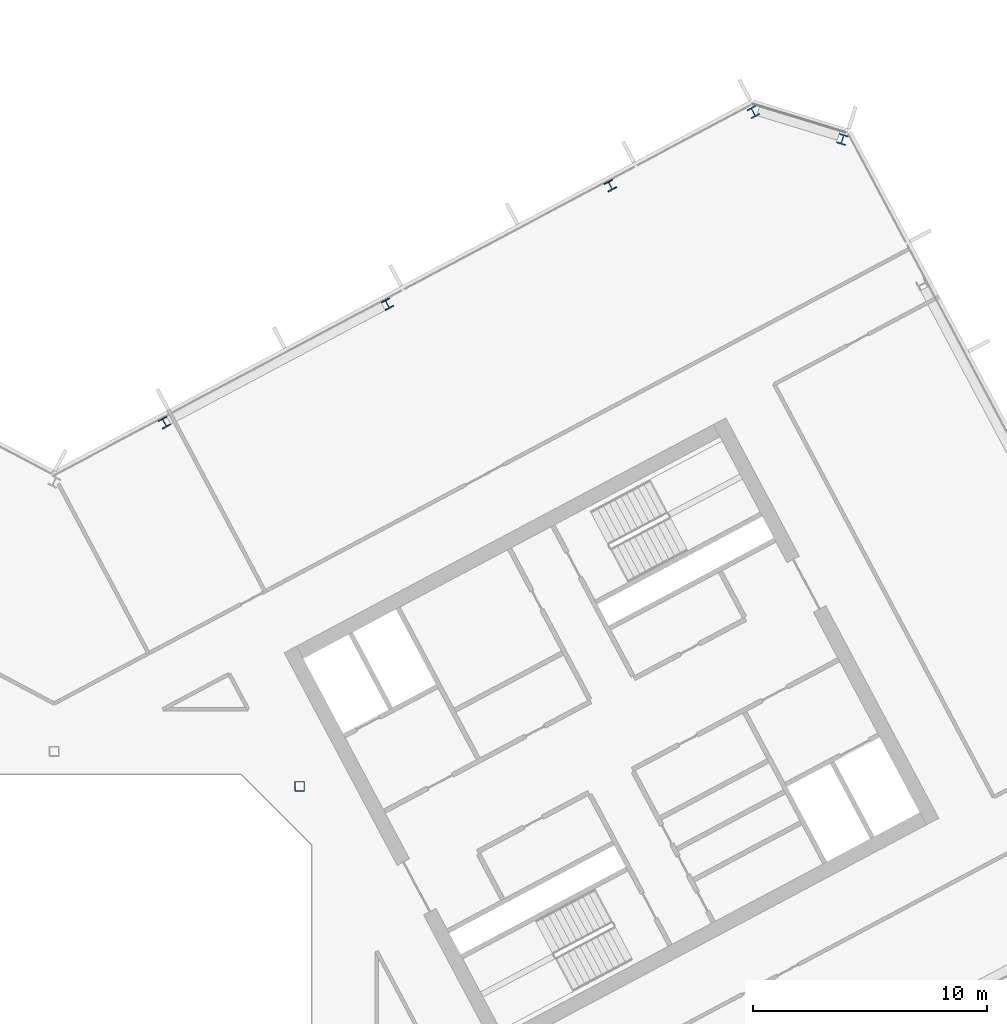
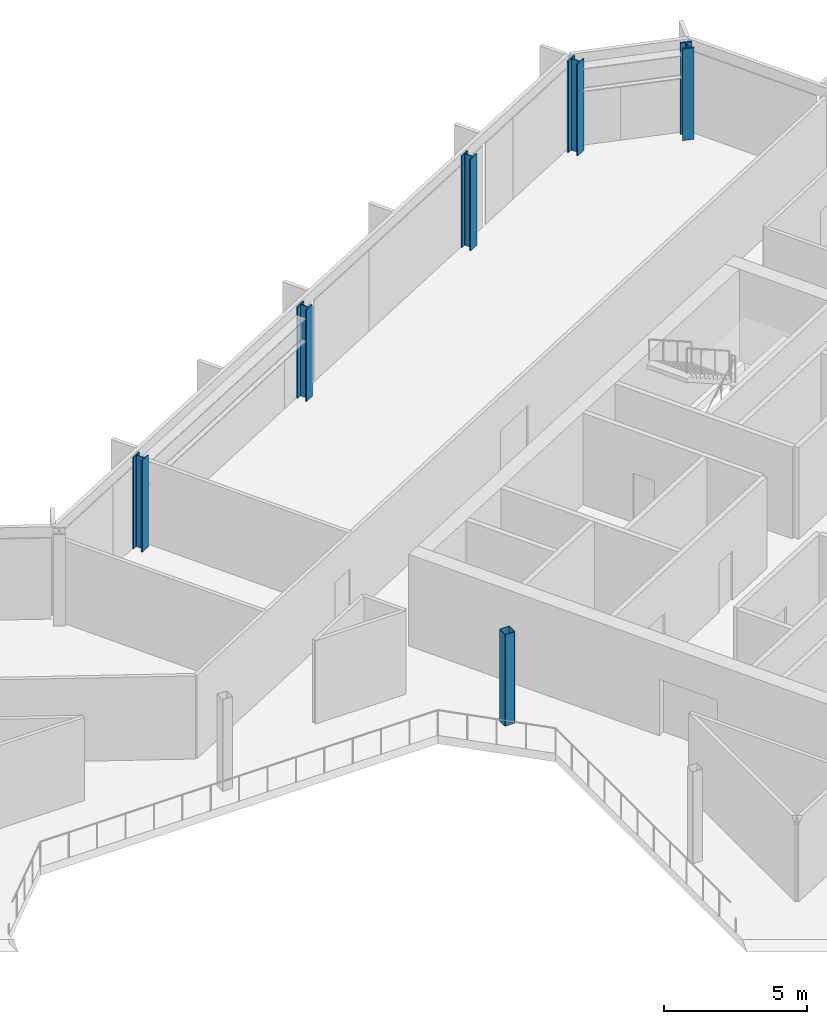
# One storey, part 6 of 26: 6 columns.
"""IFC4 building model written with IfcOpenShell, lengths in metres."""

from ifc_helpers import new_model, si_unit, direction, frame, origin, origin_2d, place, context, subcontext, project, spatial, hollow_rectangle, i_section, extrude, material, material_profile, profile_set, type_object, element, save


model = new_model("IFC4")

# Units and contexts
model_context = context("Model", 3, precision=1e-05, world=origin(), true_north=direction((0.0, 1.0)))
body_context = subcontext(model_context, "Body", "Model", "MODEL_VIEW")
ifc_project = project(units=[si_unit("LENGTHUNIT", "METRE"), si_unit("AREAUNIT", "SQUARE_METRE"), si_unit("VOLUMEUNIT", "CUBIC_METRE"), si_unit("PLANEANGLEUNIT", "RADIAN"), si_unit("MASSUNIT", "GRAM", prefix="KILO")], contexts=[model_context])

# Site, building, storey
site_placement = place(None, origin())
site = spatial("IfcSite", under=ifc_project, at=site_placement, CompositionType="ELEMENT")
building_placement = place(site_placement, origin())
building = spatial("IfcBuilding", under=site, at=building_placement, Name="Cormorant Relay Tower", CompositionType="ELEMENT")
storey_placement = place(building_placement, frame((0.0, 0.0, 205.199951171875)))
storey = spatial("IfcBuildingStorey", under=building, at=storey_placement, Name="L44", CompositionType="ELEMENT", Elevation=205.199951171875)

# Columns
ifc_material_1 = material(Name="Steel ASTM A500 Grade C (Fy 345 MPa)", Category="steel")
ifc_material_profile_1 = material_profile(ifc_material_1, hollow_rectangle(XDim=0.406494140625, YDim=0.406494140625, WallThickness=0.0146484375, InnerFilletRadius=0.00732421875, OuterFilletRadius=0.022216796875, at=origin_2d()), Name="HSS406x406x15")
ifc_profile_set_1 = profile_set([ifc_material_profile_1], Name="Steel ASTM A500 Grade C (Fy 345 MPa)")
column_type_1 = type_object("IfcColumnType", Name="Column HSS406x406x15", PredefinedType="COLUMN", material=ifc_profile_set_1)
column_placement = place(storey_placement, frame((10.5, 10.5, 0.0), z_axis=(0.0, 0.0, 1.0), x_axis=(1.0, 0.0, 0.0)))
element("IfcColumn", 1, at=column_placement, inside=storey, type_object=column_type_1, Name="Column L44-024", PredefinedType="COLUMN", context=body_context, shape_type="SweptSolid", body=[
    extrude(hollow_rectangle(XDim=0.406494140625, YDim=0.406494140625, WallThickness=0.0146484375, InnerFilletRadius=0.00732421875, OuterFilletRadius=0.022216796875, at=origin_2d()), origin(), (0.0, 0.0, 1.0), 3.900146484375),
])
ifc_material_2 = material(Name="Steel ASTM A992 (Fy 345 MPa)", Category="steel")
ifc_material_profile_2 = material_profile(ifc_material_2, i_section(OverallWidth=0.40380859375, OverallDepth=0.406494140625, WebThickness=0.027099609375, FlangeThickness=0.043701171875, FilletRadius=0.01513671875, at=origin_2d()), Name="W360x347")
ifc_profile_set_2 = profile_set([ifc_material_profile_2], Name="Steel ASTM A992 (Fy 345 MPa)")
column_type_2 = type_object("IfcColumnType", Name="Column W360x347", PredefinedType="COLUMN", material=ifc_profile_set_2)
for number, where, z_axis, x_axis, name in (
    (2, (4.719970703125, 26.055908203125, 0.0), (0.0, 0.0, 1.0), (-0.882947592859, -0.469471562786, 0.0), "Column L44-032"),
    (3, (14.256103515625, 31.1259765625, 0.0), (0.0, 0.0, 1.0), (-0.882947592859, -0.469471562786, 0.0), "Column L44-035"),
    (4, (23.7919921875, 36.196044921875, 0.0), (0.0, 0.0, 1.0), (-0.882947592859, -0.469471562786, 0.0), "Column L44-039"),
):
    element("IfcColumn", number, at=place(storey_placement, frame(where, z_axis=z_axis, x_axis=x_axis)), inside=storey, type_object=column_type_2, Name=name, PredefinedType="COLUMN", context=body_context, shape_type="SweptSolid", body=[
        extrude(i_section(OverallWidth=0.40380859375, OverallDepth=0.406494140625, WebThickness=0.027099609375, FlangeThickness=0.043701171875, FilletRadius=0.01513671875, at=origin_2d()), origin(), (0.0, 0.0, 1.0), 3.900146484375),
    ])
ifc_material_3 = material(Name="Steel ASTM A992 (Fy 345 MPa)", Category="steel")
ifc_material_profile_3 = material_profile(ifc_material_3, i_section(OverallWidth=0.41162109375, OverallDepth=0.434326171875, WebThickness=0.035888671875, FlangeThickness=0.057373046875, FilletRadius=0.01513671875, at=origin_2d()), Name="W360x463")
ifc_profile_set_3 = profile_set([ifc_material_profile_3], Name="Steel ASTM A992 (Fy 345 MPa)")
column_type_3 = type_object("IfcColumnType", Name="Column W360x463", PredefinedType="COLUMN", material=ifc_profile_set_3)
for number, where, z_axis, x_axis, name in (
    (5, (33.720947265625, 38.173095703125, 0.0), (0.0, 0.0, 1.0), (-0.956304755963, 0.292371704723, 0.0), "Column L44-041"),
    (6, (29.905029296875, 39.340087890625, 0.0), (0.0, 0.0, 1.0), (-0.882947592859, -0.469471562786, 0.0), "Column L44-043"),
):
    element("IfcColumn", number, at=place(storey_placement, frame(where, z_axis=z_axis, x_axis=x_axis)), inside=storey, type_object=column_type_3, Name=name, PredefinedType="COLUMN", context=body_context, shape_type="SweptSolid", body=[
        extrude(i_section(OverallWidth=0.41162109375, OverallDepth=0.434326171875, WebThickness=0.035888671875, FlangeThickness=0.057373046875, FilletRadius=0.01513671875, at=origin_2d()), origin(), (0.0, 0.0, 1.0), 3.900146484375),
    ])

save(model, "model.ifc")
